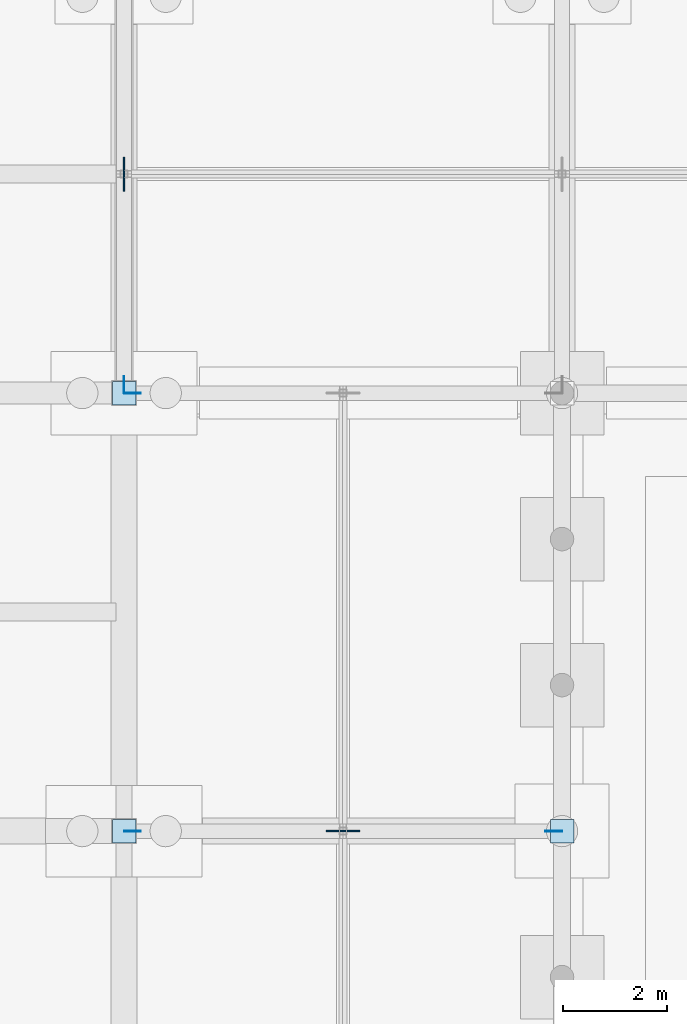
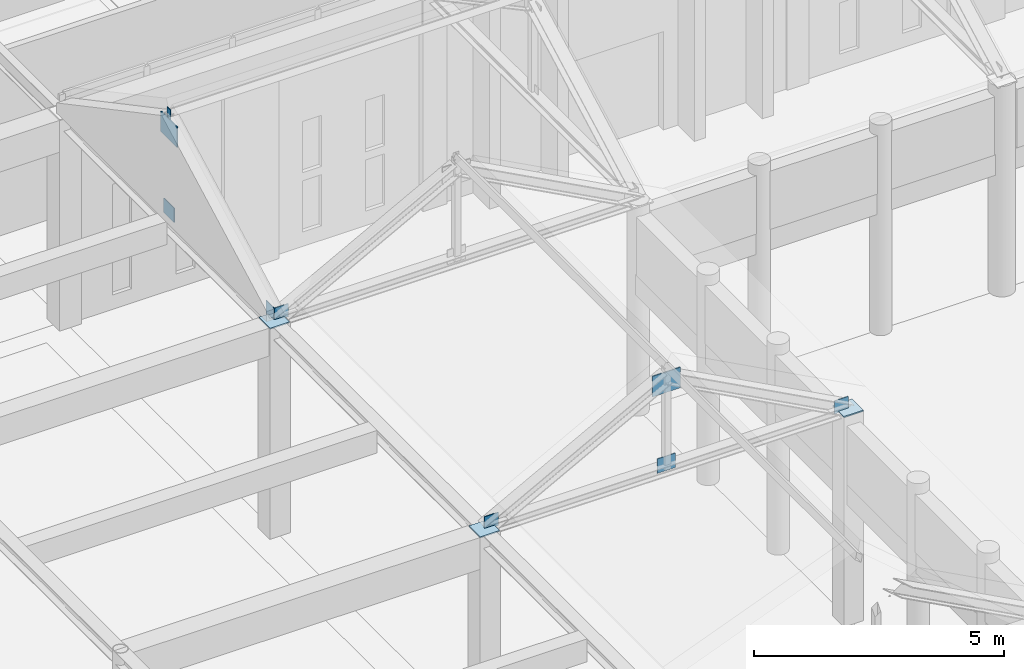
# One storey, part 101 of 143: 12 plates.
"""IFC4 building model written with IfcOpenShell, lengths in metres."""

from ifc_helpers import new_model, si_unit, direction, frame, origin, origin_2d, place, context, subcontext, project, spatial, rectangle, extrude, material, layer, layer_set, type_object, element, save


model = new_model("IFC4")

# Units and contexts
model_context = context("Model", 3, precision=1e-05, world=origin(), true_north=direction((0.0, 1.0)))
body_context = subcontext(model_context, "Body", "Model", "MODEL_VIEW")
ifc_project = project(units=[si_unit("LENGTHUNIT", "METRE"), si_unit("AREAUNIT", "SQUARE_METRE"), si_unit("VOLUMEUNIT", "CUBIC_METRE"), si_unit("PLANEANGLEUNIT", "RADIAN"), si_unit("MASSUNIT", "GRAM", prefix="KILO")], contexts=[model_context])

# Site, building, storey
site_placement = place(None, origin())
site = spatial("IfcSite", under=ifc_project, at=site_placement, CompositionType="ELEMENT")
building_placement = place(site_placement, origin())
building = spatial("IfcBuilding", under=site, at=building_placement, Name="Kveldsbrygga Polytechnic", CompositionType="ELEMENT")
storey_placement = place(building_placement, origin())
storey = spatial("IfcBuildingStorey", under=building, at=storey_placement, Name="L00", CompositionType="ELEMENT", Elevation=0.0)

# Plates
ifc_material = material(Name="Steel S355", Category="steel")
ifc_layer_1 = layer(ifc_material, 0.030029296875)
ifc_layer_set_1 = layer_set([ifc_layer_1], Name="Steel S355")
plate_type_1 = type_object("IfcPlateType", Name="CAP-BEAR-450", PredefinedType="SHEET", material=ifc_layer_set_1)
for number, where, z_axis, x_axis, name in (
    (1, (75.60009765625, 75.60009765625, 5.10986328125), (0.0, 0.0, 1.0), (1.0, 0.0, 0.0), "Truss Bearing Plate ARC-EN-T01-A"),
    (2, (75.60009765625, 67.199951171875, 5.10986328125), (0.0, 0.0, 1.0), (1.0, 0.0, 0.0), "Truss Bearing Plate ARC-EW-T05-A"),
    (3, (84.0, 67.199951171875, 5.10986328125), (0.0, 0.0, 1.0), (1.0, 0.0, 0.0), "Truss Bearing Plate ARC-EW-T05-B"),
):
    element("IfcPlate", number, at=place(storey_placement, frame(where, z_axis=z_axis, x_axis=x_axis)), inside=storey, type_object=plate_type_1, Name=name, PredefinedType="SHEET", context=body_context, shape_type="SweptSolid", body=[
        extrude(rectangle(XDim=0.449951171875, YDim=0.449951171875, at=origin_2d()), origin(), (0.0, 0.0, 1.0), 0.030029296875),
    ])
ifc_layer_2 = layer(ifc_material, 0.011962890625)
ifc_layer_set_2 = layer_set([ifc_layer_2], Name="Steel S355")
plate_type_2 = type_object("IfcPlateType", Name="CAP-PRL-200", PredefinedType="SHEET", material=ifc_layer_set_2)
plate_1_placement = place(storey_placement, frame((75.593994140625, 79.800048828125, 7.513671875), z_axis=(0.0, 0.0, 1.0), x_axis=(1.0, 0.0, 0.0)))
element("IfcPlate", 4, at=plate_1_placement, inside=storey, type_object=plate_type_2, Name="Purlin End Cap Plate ARC-EN-EP-A-1", PredefinedType="SHEET", context=body_context, shape_type="SweptSolid", body=[
    extrude(rectangle(XDim=0.011962890625, YDim=0.139892578125, at=origin_2d()), origin(), (0.0, 0.0, 1.0), 0.239990234375),
])
ifc_layer_3 = layer(ifc_material, 0.02490234375)
ifc_layer_set_3 = layer_set([ifc_layer_3], Name="Steel S355")
plate_type_3 = type_object("IfcPlateType", Name="GUS-APEX-650", PredefinedType="SHEET", material=ifc_layer_set_3)
plate_2_placement = place(storey_placement, frame((75.60009765625, 79.800048828125, 6.989990234375), z_axis=(0.0, 0.0, 1.0), x_axis=(1.0, 0.0, 0.0)))
element("IfcPlate", 5, at=plate_2_placement, inside=storey, type_object=plate_type_3, Name="Truss Gusset Plate ARC-EN-T01-GP-1", PredefinedType="SHEET", context=body_context, shape_type="SweptSolid", body=[
    extrude(rectangle(XDim=0.02490234375, YDim=0.64990234375, at=origin_2d()), origin(), (0.0, 0.0, 1.0), 0.5),
])
plate_3_placement = place(storey_placement, frame((79.800048828125, 67.199951171875, 6.989990234375), z_axis=(0.0, 0.0, 1.0), x_axis=(1.0, 0.0, 0.0)))
element("IfcPlate", 6, at=plate_3_placement, inside=storey, type_object=plate_type_3, Name="Truss Gusset Plate ARC-EW-T05-GP-1", PredefinedType="SHEET", context=body_context, shape_type="SweptSolid", body=[
    extrude(rectangle(XDim=0.64990234375, YDim=0.02490234375, at=origin_2d()), origin(), (0.0, 0.0, 1.0), 0.5),
])
ifc_layer_4 = layer(ifc_material, 0.01806640625)
ifc_layer_set_4 = layer_set([ifc_layer_4], Name="Steel S355")
plate_type_4 = type_object("IfcPlateType", Name="GUS-BRACE-320", PredefinedType="SHEET", material=ifc_layer_set_4)
plate_4_placement = place(storey_placement, frame((75.60009765625, 75.760009765625, 5.10009765625), z_axis=(0.0, 0.0, 1.0), x_axis=(1.0, 0.0, 0.0)))
element("IfcPlate", 7, at=plate_4_placement, inside=storey, type_object=plate_type_4, Name="Truss Eaves Node Gusset ARC-EN-T01-EGP-A", PredefinedType="SHEET", context=body_context, shape_type="SweptSolid", body=[
    extrude(rectangle(XDim=0.01806640625, YDim=0.320068359375, at=origin_2d()), origin(), (0.0, 0.0, 1.0), 0.320068359375),
])
for number, where, z_axis, x_axis, name in (
    (8, (75.760009765625, 67.199951171875, 5.10009765625), (0.0, 0.0, 1.0), (1.0, 0.0, 0.0), "Truss Eaves Node Gusset ARC-EW-T05-EGP-A"),
    (9, (83.840087890625, 67.199951171875, 5.10009765625), (0.0, 0.0, 1.0), (1.0, 0.0, 0.0), "Truss Eaves Node Gusset ARC-EW-T05-EGP-B"),
    (10, (75.760009765625, 75.60009765625, 5.10009765625), (0.0, 0.0, 1.0), (1.0, 0.0, 0.0), "Truss Eaves Node Gusset ARC-EW-T06-EGP-A"),
):
    element("IfcPlate", number, at=place(storey_placement, frame(where, z_axis=z_axis, x_axis=x_axis)), inside=storey, type_object=plate_type_4, Name=name, PredefinedType="SHEET", context=body_context, shape_type="SweptSolid", body=[
        extrude(rectangle(XDim=0.320068359375, YDim=0.01806640625, at=origin_2d()), origin(), (0.0, 0.0, 1.0), 0.320068359375),
    ])
ifc_layer_5 = layer(ifc_material, 0.02001953125)
ifc_layer_set_5 = layer_set([ifc_layer_5], Name="Steel S355")
plate_type_5 = type_object("IfcPlateType", Name="GUS-LECT-420", PredefinedType="SHEET", material=ifc_layer_set_5)
plate_5_placement = place(storey_placement, frame((75.60009765625, 79.800048828125, 5.0849609375), z_axis=(0.0, 0.0, 1.0), x_axis=(1.0, 0.0, 0.0)))
element("IfcPlate", 11, at=plate_5_placement, inside=storey, type_object=plate_type_5, Name="Truss Bottom-Chord Node Gusset ARC-EN-T01-BGP-1", PredefinedType="SHEET", context=body_context, shape_type="SweptSolid", body=[
    extrude(rectangle(XDim=0.02001953125, YDim=0.419921875, at=origin_2d()), origin(), (0.0, 0.0, 1.0), 0.35009765625),
])
plate_6_placement = place(storey_placement, frame((79.800048828125, 67.199951171875, 5.0849609375), z_axis=(0.0, 0.0, 1.0), x_axis=(1.0, 0.0, 0.0)))
element("IfcPlate", 12, at=plate_6_placement, inside=storey, type_object=plate_type_5, Name="Truss Bottom-Chord Node Gusset ARC-EW-T05-BGP-1", PredefinedType="SHEET", context=body_context, shape_type="SweptSolid", body=[
    extrude(rectangle(XDim=0.419921875, YDim=0.02001953125, at=origin_2d()), origin(), (0.0, 0.0, 1.0), 0.35009765625),
])

save(model, "model.ifc")
